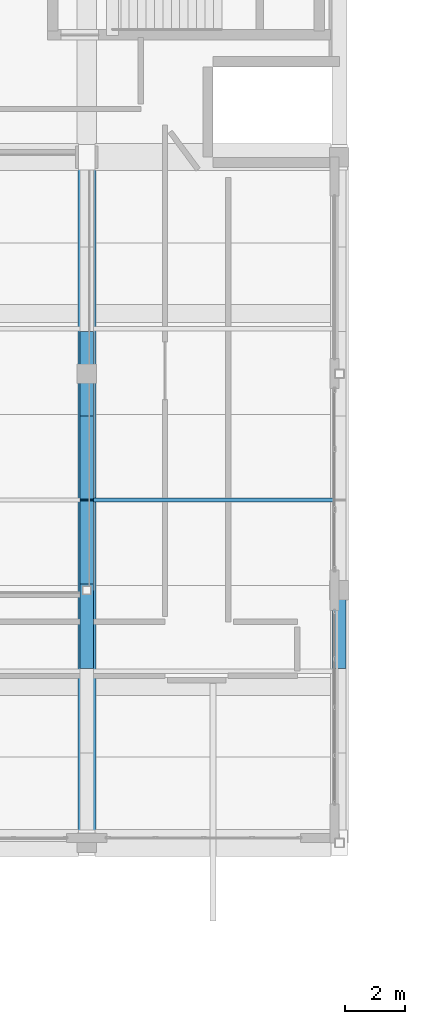
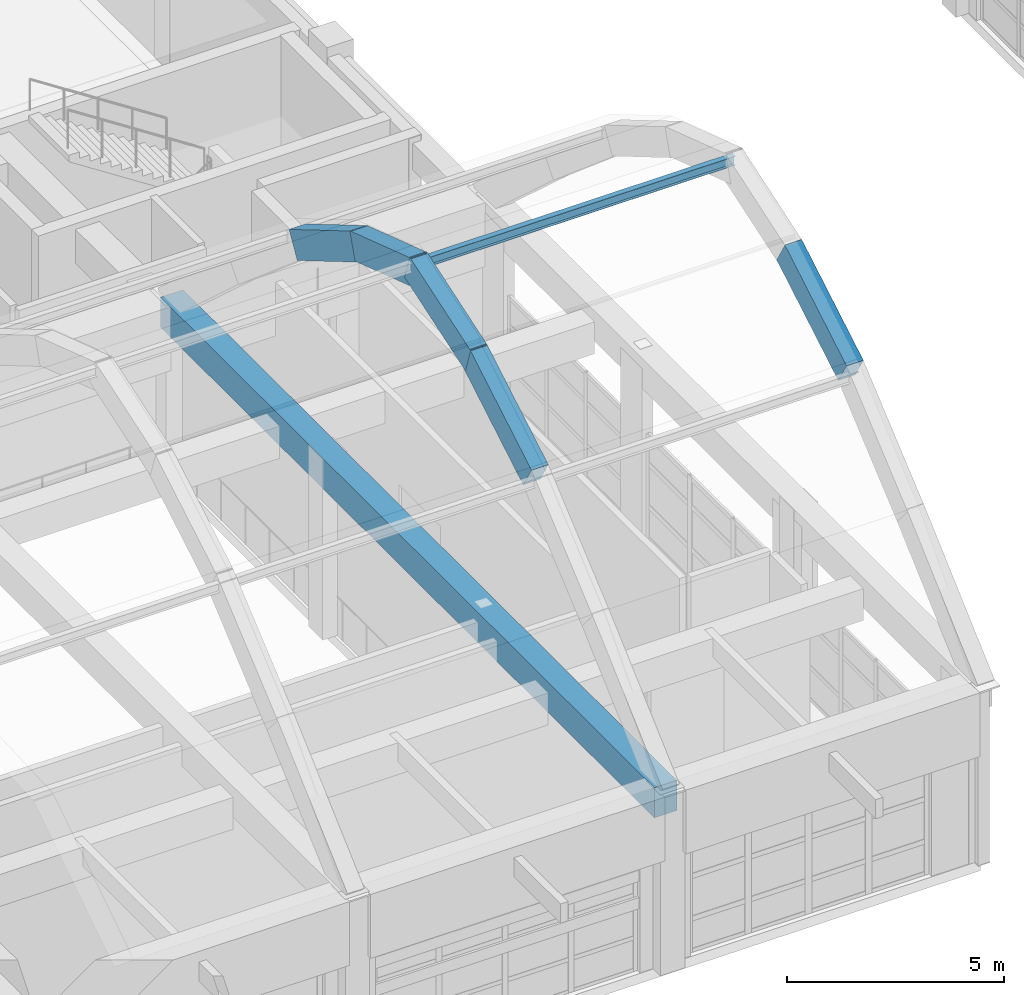
# One storey, part 50 of 103: 6 beams, 1 member.
"""IFC4 building model written with IfcOpenShell, lengths in metres."""

from ifc_helpers import new_model, si_unit, direction, frame, origin, origin_2d, place, context, subcontext, project, spatial, rectangle, i_section, extrude, material, material_profile, profile_set, type_object, element, save


model = new_model("IFC4")

# Units and contexts
model_context = context("Model", 3, precision=1e-05, world=origin(), true_north=direction((0.0, 1.0)))
body_context = subcontext(model_context, "Body", "Model", "MODEL_VIEW")
ifc_project = project(units=[si_unit("LENGTHUNIT", "METRE"), si_unit("AREAUNIT", "SQUARE_METRE"), si_unit("VOLUMEUNIT", "CUBIC_METRE"), si_unit("PLANEANGLEUNIT", "RADIAN"), si_unit("MASSUNIT", "GRAM", prefix="KILO")], contexts=[model_context])

# Site, building, storey
site_placement = place(None, origin())
site = spatial("IfcSite", under=ifc_project, at=site_placement, CompositionType="ELEMENT")
building_placement = place(site_placement, origin())
building = spatial("IfcBuilding", under=site, at=building_placement, Name="Quendrovan Civic Courthouse", CompositionType="ELEMENT")
storey_placement = place(building_placement, frame((0.0, 0.0, 15.300048828125)))
storey = spatial("IfcBuildingStorey", under=building, at=storey_placement, Name="L04", CompositionType="ELEMENT", Elevation=15.300048828125)

# Beams
ifc_material_1 = material(Name="Post-tensioned concrete C50/60", Category="concrete")
ifc_material_profile_1 = material_profile(ifc_material_1, rectangle(XDim=0.60009765625, YDim=0.85009765625, at=origin_2d()), Name="PT-TIE-600x850")
ifc_profile_set_1 = profile_set([ifc_material_profile_1], Name="Post-tensioned concrete C50/60")
beam_type_1 = type_object("IfcBeamType", Name="BM-PTTIE850", PredefinedType="BEAM", material=ifc_profile_set_1)
beam_1_placement = place(storey_placement, frame((84.0, 64.800048828125, 4.675048828125), z_axis=(0.0, 1.0, 0.0), x_axis=(-1.0, 0.0, 0.0)))
element("IfcBeam", 1, at=beam_1_placement, inside=storey, type_object=beam_type_1, Name="BV2 Vault Post-Tensioned Tie Beam A7", PredefinedType="BEAM", context=body_context, shape_type="SweptSolid", body=[
    extrude(rectangle(XDim=0.60009765625, YDim=0.85009765625, at=origin_2d()), origin(), (0.0, 0.0, 1.0), 22.800048828125),
])
ifc_material_2 = material(Name="Concrete C40/50", Category="concrete")
ifc_material_profile_2 = material_profile(ifc_material_2, rectangle(XDim=0.449951171875, YDim=0.75, at=origin_2d()), Name="RC-VRIB-450x750")
ifc_profile_set_2 = profile_set([ifc_material_profile_2], Name="Concrete C40/50")
beam_type_2 = type_object("IfcBeamType", Name="BM-VRIB750", PredefinedType="BEAM", material=ifc_profile_set_2)
beam_2_placement = place(storey_placement, frame((84.0, 70.7919921875, 10.1806640625), z_axis=(0.0, 0.861355141515, 0.508003267889), x_axis=(-1.0, 0.0, 0.0)))
element("IfcBeam", 2, at=beam_2_placement, inside=storey, type_object=beam_type_2, Name="BV2 Concrete Vault Arch Rib A7-C3", PredefinedType="BEAM", context=body_context, shape_type="SweptSolid", body=[
    extrude(rectangle(XDim=0.449951171875, YDim=0.75, at=origin_2d()), origin(), (0.0, 0.0, 1.0), 3.308837890625),
])
for number, where, z_axis, x_axis, name in (
    (3, (84.0, 73.531494140625, 11.811279296875), (0.0, 0.948848042791, 0.315733101989), (-1.0, 0.0, 0.0), "BV2 Concrete Vault Arch Rib A7-C4"),
    (4, (84.0, 76.05859375, 12.746337890625), (0.0, 0.948839823913, -0.315757800468), (-1.0, 0.0, 0.0), "BV2 Concrete Vault Arch Rib A7-C5"),
):
    element("IfcBeam", number, at=place(storey_placement, frame(where, z_axis=z_axis, x_axis=x_axis)), inside=storey, type_object=beam_type_2, Name=name, PredefinedType="BEAM", context=body_context, shape_type="SweptSolid", body=[
        extrude(rectangle(XDim=0.449951171875, YDim=0.75, at=origin_2d()), origin(), (0.0, 0.0, 1.0), 2.96142578125),
    ])
for number, where, z_axis, x_axis, name in (
    (5, (84.0, 78.7578125, 11.861572265625), (0.0, 0.861355141515, -0.508003267889), (-1.0, 0.0, 0.0), "BV2 Concrete Vault Arch Rib A7-C6"),
    (6, (92.39990234375, 70.7919921875, 10.1806640625), (0.0, 0.861355141515, 0.508003267889), (-1.0, 0.0, 0.0), "BV2 Concrete Vault Arch Rib A8-C3"),
):
    element("IfcBeam", number, at=place(storey_placement, frame(where, z_axis=z_axis, x_axis=x_axis)), inside=storey, type_object=beam_type_2, Name=name, PredefinedType="BEAM", context=body_context, shape_type="SweptSolid", body=[
        extrude(rectangle(XDim=0.449951171875, YDim=0.75, at=origin_2d()), origin(), (0.0, 0.0, 1.0), 3.308837890625),
    ])

# Member
ifc_material_3 = material(Name="Steel ASTM A992 Grade 50", Category="steel")
ifc_material_profile_3 = material_profile(ifc_material_3, i_section(OverallWidth=0.14599609375, OverallDepth=0.258056640625, WebThickness=0.006103515625, FlangeThickness=0.009033203125, at=origin_2d()), Name="W250x33")
ifc_profile_set_3 = profile_set([ifc_material_profile_3], Name="Steel ASTM A992 Grade 50")
member_type = type_object("IfcMemberType", Name="MEM-PUR-W250", PredefinedType="PURLIN", material=ifc_profile_set_3)
member_placement = place(storey_placement, frame((84.0, 76.199951171875, 12.85986328125), z_axis=(1.0, 0.0, 0.0), x_axis=(0.0, 1.0, 0.0)))
element("IfcMember", 7, at=member_placement, inside=storey, type_object=member_type, Name="BV2 Vault Longitudinal Purlin B7-2", PredefinedType="PURLIN", context=body_context, shape_type="SweptSolid", body=[
    extrude(i_section(OverallWidth=0.14599609375, OverallDepth=0.258056640625, WebThickness=0.006103515625, FlangeThickness=0.009033203125, at=origin_2d()), origin(), (0.0, 0.0, 1.0), 8.39990234375),
])

save(model, "model.ifc")
